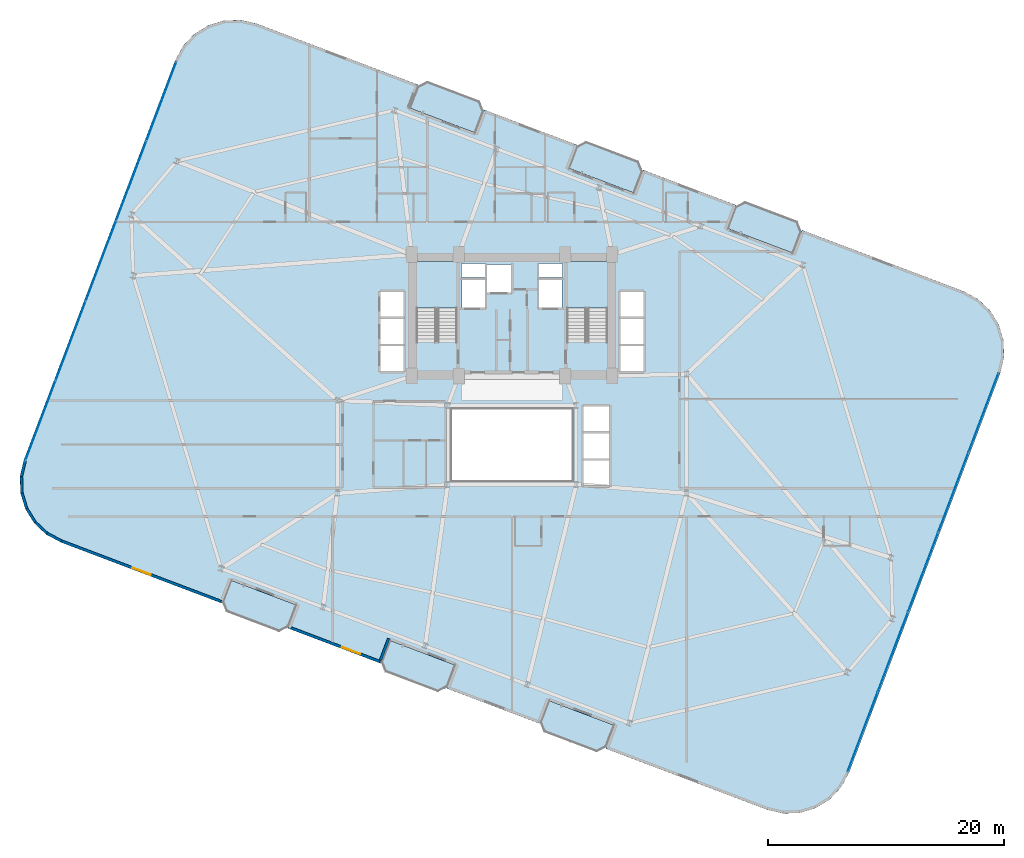
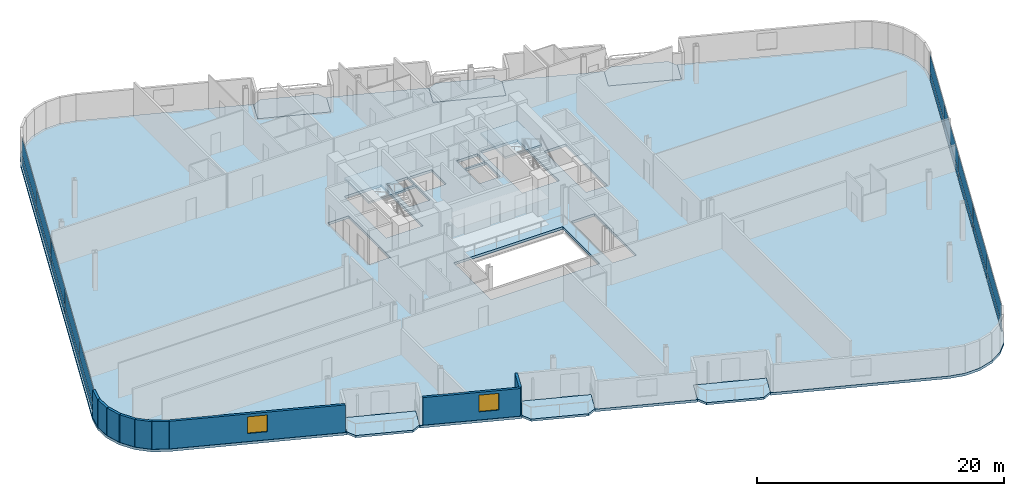
# One storey, part 16 of 24: 20 plates, 9 slabs, 9 walls, 2 windows, 2 openings, 4 elements without a shape of their own.
"""IFC4 building model written with IfcOpenShell, lengths in metres."""

from ifc_helpers import new_model, si_unit, direction, frame, frame_2d, origin, origin_2d, place, context, subcontext, project, spatial, polyline, rectangle, outline, extrude, source, transform, mapped, material, layer, layer_set, type_object, element, fill, aggregate, save


model = new_model("IFC4")

# Units and contexts
model_context = context("Model", 3, precision=1e-05, world=origin(), true_north=direction((0.0, 1.0)))
body_context = subcontext(model_context, "Body", "Model", "MODEL_VIEW")
ifc_project = project(units=[si_unit("LENGTHUNIT", "METRE"), si_unit("AREAUNIT", "SQUARE_METRE"), si_unit("VOLUMEUNIT", "CUBIC_METRE"), si_unit("PLANEANGLEUNIT", "RADIAN"), si_unit("MASSUNIT", "GRAM", prefix="KILO")], contexts=[model_context])

# Site, building, storey
site_placement = place(None, origin())
site = spatial("IfcSite", under=ifc_project, at=site_placement, CompositionType="ELEMENT")
building_placement = place(site_placement, origin())
building = spatial("IfcBuilding", under=site, at=building_placement, Name="Varnelok Gate Tower", CompositionType="ELEMENT")
storey_placement = place(building_placement, frame((0.0, 0.0, 98.39990234375)))
storey = spatial("IfcBuildingStorey", under=building, at=storey_placement, Name="L24", CompositionType="ELEMENT", Elevation=98.39990234375)

# Slabs
ifc_material_1 = material(Name="Concrete C45/55", Category="concrete")
ifc_layer_1 = layer(ifc_material_1, 0.219970703125)
ifc_layer_set_1 = layer_set([ifc_layer_1], Name="Concrete C45/55")
slab_type_1 = type_object("IfcSlabType", Name="SLB-BALC-220", PredefinedType="FLOOR", material=ifc_layer_set_1)
slab_1_placement = place(storey_placement, frame((0.0, 0.0, -0.219970703125)))
element("IfcSlab", 1, at=slab_1_placement, inside=storey, type_object=slab_type_1, Name="L24 South Hollow Balcony 1", PredefinedType="FLOOR", context=body_context, shape_type="SweptSolid", body=[
    extrude(outline(polyline([(14.64208984375, 9.576416015625), (15.019775390625, 8.738525390625), (19.415283203125, 7.074462890625), (20.25341796875, 7.4521484375), (20.96142578125, 9.322509765625), (15.35009765625, 11.447021484375), (14.64208984375, 9.576416015625)])), origin(), (0.0, 0.0, 1.0), 0.219970703125),
])
slab_2_placement = place(storey_placement, frame((0.0, 0.0, -0.219970703125)))
element("IfcSlab", 2, at=slab_2_placement, inside=storey, type_object=slab_type_1, Name="L24 South Hollow Balcony 2", PredefinedType="FLOOR", context=body_context, shape_type="SweptSolid", body=[
    extrude(outline(polyline([(28.109375, 4.47802734375), (28.487060546875, 3.639892578125), (32.882568359375, 1.975830078125), (33.720703125, 2.353515625), (34.4287109375, 4.22412109375), (28.8173828125, 6.348388671875), (28.109375, 4.47802734375)])), origin(), (0.0, 0.0, 1.0), 0.219970703125),
])
slab_3_placement = place(storey_placement, frame((0.0, 0.0, -0.219970703125)))
element("IfcSlab", 3, at=slab_3_placement, inside=storey, type_object=slab_type_1, Name="L24 South Hollow Balcony 3", PredefinedType="FLOOR", context=body_context, shape_type="SweptSolid", body=[
    extrude(outline(polyline([(41.576416015625, -0.62060546875), (41.9541015625, -1.45849609375), (46.349853515625, -3.12255859375), (47.187744140625, -2.744873046875), (47.89599609375, -0.87451171875), (42.28466796875, 1.25), (41.576416015625, -0.62060546875)])), origin(), (0.0, 0.0, 1.0), 0.219970703125),
])
slab_4_placement = place(storey_placement, frame((0.0, 0.0, -0.219970703125)))
element("IfcSlab", 4, at=slab_4_placement, inside=storey, type_object=slab_type_1, Name="L24 North Hollow Balcony 1", PredefinedType="FLOOR", context=body_context, shape_type="SweptSolid", body=[
    extrude(outline(polyline([(30.504150390625, 51.474365234375), (36.115478515625, 49.35009765625), (36.823486328125, 51.220458984375), (36.44580078125, 52.05859375), (32.05029296875, 53.72265625), (31.212158203125, 53.344970703125), (30.504150390625, 51.474365234375)])), origin(), (0.0, 0.0, 1.0), 0.219970703125),
])
slab_5_placement = place(storey_placement, frame((0.0, 0.0, -0.219970703125)))
element("IfcSlab", 5, at=slab_5_placement, inside=storey, type_object=slab_type_1, Name="L24 North Hollow Balcony 2", PredefinedType="FLOOR", context=body_context, shape_type="SweptSolid", body=[
    extrude(outline(polyline([(43.97119140625, 46.3759765625), (49.58251953125, 44.251708984375), (50.290771484375, 46.1220703125), (49.9130859375, 46.9599609375), (45.517333984375, 48.6240234375), (44.679443359375, 48.246337890625), (43.97119140625, 46.3759765625)])), origin(), (0.0, 0.0, 1.0), 0.219970703125),
])
slab_6_placement = place(storey_placement, frame((0.0, 0.0, -0.219970703125)))
element("IfcSlab", 6, at=slab_6_placement, inside=storey, type_object=slab_type_1, Name="L24 North Hollow Balcony 3", PredefinedType="FLOOR", context=body_context, shape_type="SweptSolid", body=[
    extrude(outline(polyline([(57.4384765625, 41.27734375), (63.0498046875, 39.153076171875), (63.7578125, 41.0234375), (63.380126953125, 41.861572265625), (58.984619140625, 43.525634765625), (58.146484375, 43.14794921875), (57.4384765625, 41.27734375)])), origin(), (0.0, 0.0, 1.0), 0.219970703125),
])

# Stair, slab
ifc_material_2 = material(Name="Concrete C50/60", Category="concrete")
stair_type = type_object("IfcStairType", Name="STR-CORE-1650", PredefinedType="HALF_TURN_STAIR", material=ifc_material_2)
stair_1_placement = place(storey_placement, origin())
stair_1 = element("IfcStair", 7, at=stair_1_placement, inside=storey, type_object=stair_type, Name="L24 Exit Stair ST-1", PredefinedType="HALF_TURN_STAIR")
ifc_layer_2 = layer(ifc_material_1, 0.199951171875)
ifc_layer_set_2 = layer_set([ifc_layer_2], Name="Concrete C45/55")
slab_type_2 = type_object("IfcSlabType", Name="SLB-LAND-200", PredefinedType="LANDING", material=ifc_layer_set_2)
slab_7_placement = place(storey_placement, frame((0.0, 0.0, 1.650146484375)))
slab_7 = element("IfcSlab", 8, at=slab_7_placement, type_object=slab_type_2, Name="ST-1 landing 1", PredefinedType="LANDING", context=body_context, shape_type="SweptSolid", body=[
    extrude(outline(polyline([(34.550048828125, 34.5), (34.550048828125, 38.449951171875), (31.10009765625, 38.449951171875), (31.10009765625, 34.5), (34.550048828125, 34.5)])), origin(), (0.0, 0.0, 1.0), 0.199951171875),
])
aggregate(stair_1, [slab_7])

stair_2_placement = place(storey_placement, origin())
stair_2 = element("IfcStair", 9, at=stair_2_placement, inside=storey, type_object=stair_type, Name="L24 Exit Stair ST-2", PredefinedType="HALF_TURN_STAIR")
slab_8_placement = place(storey_placement, frame((0.0, 0.0, 1.650146484375)))
slab_8 = element("IfcSlab", 10, at=slab_8_placement, type_object=slab_type_2, Name="ST-2 landing 1", PredefinedType="LANDING", context=body_context, shape_type="SweptSolid", body=[
    extrude(outline(polyline([(47.300048828125, 34.5), (47.300048828125, 38.449951171875), (43.85009765625, 38.449951171875), (43.85009765625, 34.5), (47.300048828125, 34.5)])), origin(), (0.0, 0.0, 1.0), 0.199951171875),
])
aggregate(stair_2, [slab_8])

# Slab
ifc_layer_3 = layer(ifc_material_2, 0.25)
ifc_layer_set_3 = layer_set([ifc_layer_3], Name="Concrete C50/60")
slab_type_3 = type_object("IfcSlabType", Name="SLB-TYP-250", PredefinedType="FLOOR", material=ifc_layer_set_3)
slab_9_placement = place(storey_placement, frame((0.0, 0.0, -0.25)))
element("IfcSlab", 11, at=slab_9_placement, inside=storey, type_object=slab_type_3, Name="L24 Structural Floor Slab", PredefinedType="FLOOR", context=body_context, shape_type="SweptSolid", body=[
    extrude(outline(polyline([(-2.185791015625, 21.614501953125), (-2.508544921875, 20.2421875), (-2.465087890625, 18.833251953125), (-2.05859375, 17.4833984375), (-1.31640625, 16.284912109375), (-0.28955078125, 15.319091796875), (0.952392578125, 14.65234375), (12.05029296875, 10.45068359375), (14.606689453125, 9.48291015625), (15.35009765625, 11.447021484375), (20.96142578125, 9.322509765625), (20.218017578125, 7.358642578125), (28.073974609375, 4.384521484375), (28.8173828125, 6.348388671875), (34.4287109375, 4.22412109375), (33.685302734375, 2.260009765625), (41.541015625, -0.714111328125), (42.28466796875, 1.25), (47.89599609375, -0.87451171875), (47.15234375, -2.83837890625), (49.708740234375, -3.80615234375), (60.806640625, -8.0078125), (62.1787109375, -8.33056640625), (63.587890625, -8.287109375), (64.937744140625, -7.880615234375), (66.13623046875, -7.138427734375), (67.101806640625, -6.111328125), (67.768798828125, -4.869384765625), (80.585693359375, 28.985595703125), (80.90869140625, 30.35791015625), (80.865234375, 31.766845703125), (80.45849609375, 33.11669921875), (79.716552734375, 34.315185546875), (78.689453125, 35.28076171875), (77.447509765625, 35.94775390625), (66.349609375, 40.1494140625), (63.793212890625, 41.116943359375), (63.0498046875, 39.153076171875), (57.4384765625, 41.27734375), (58.181884765625, 43.241455078125), (50.326171875, 46.215576171875), (49.58251953125, 44.251708984375), (43.97119140625, 46.3759765625), (44.71484375, 48.33984375), (36.85888671875, 51.31396484375), (36.115478515625, 49.35009765625), (30.504150390625, 51.474365234375), (31.24755859375, 53.4384765625), (28.69140625, 54.40625), (17.593505859375, 58.607666015625), (16.22119140625, 58.930419921875), (14.81201171875, 58.886962890625), (13.46240234375, 58.48046875), (12.263916015625, 57.73828125), (11.298095703125, 56.71142578125), (10.631103515625, 55.469482421875), (-2.185791015625, 21.614501953125)]), holes=[polyline([(34.550048828125, 31.679931640625), (34.550048828125, 38.449951171875), (31.10009765625, 38.449951171875), (31.10009765625, 31.679931640625), (34.550048828125, 31.679931640625)]), polyline([(47.300048828125, 31.679931640625), (47.300048828125, 38.449951171875), (43.85009765625, 38.449951171875), (43.85009765625, 31.679931640625), (47.300048828125, 31.679931640625)]), polyline([(34.949951171875, 34.550048828125), (36.89990234375, 34.550048828125), (36.89990234375, 36.89990234375), (34.949951171875, 36.89990234375), (34.949951171875, 34.550048828125)]), polyline([(41.5, 34.550048828125), (43.449951171875, 34.550048828125), (43.449951171875, 36.89990234375), (41.5, 36.89990234375), (41.5, 34.550048828125)]), polyline([(37.050048828125, 35.85009765625), (39.14990234375, 35.85009765625), (39.14990234375, 38.199951171875), (37.050048828125, 38.199951171875), (37.050048828125, 35.85009765625)]), polyline([(28.050048828125, 29.14990234375), (30.050048828125, 29.14990234375), (30.050048828125, 35.89990234375), (28.050048828125, 35.89990234375), (28.050048828125, 29.14990234375)]), polyline([(48.35009765625, 29.14990234375), (50.35009765625, 29.14990234375), (50.35009765625, 35.89990234375), (48.35009765625, 35.89990234375), (48.35009765625, 29.14990234375)]), polyline([(45.25, 19.449951171875), (47.449951171875, 19.449951171875), (47.449951171875, 26.199951171875), (45.25, 26.199951171875), (45.25, 19.449951171875)]), polyline([(34.919921875, 37.080078125), (36.89990234375, 37.080078125), (36.89990234375, 38.280029296875), (34.919921875, 38.280029296875), (34.919921875, 37.080078125)]), polyline([(41.5, 37.080078125), (43.47998046875, 37.080078125), (43.47998046875, 38.280029296875), (41.5, 38.280029296875), (41.5, 37.080078125)]), polyline([(34.10009765625, 19.89990234375), (44.300048828125, 19.89990234375), (44.300048828125, 25.89990234375), (34.10009765625, 25.89990234375), (34.10009765625, 19.89990234375)])]), origin(), (0.0, 0.0, 1.0), 0.25),
])

# Curtain wall, plates
ifc_material_3 = material(Name="Anodized Aluminum Alloy 6063-T6", Category="aluminium")
ifc_layer_4 = layer(ifc_material_3, 0.179931640625)
ifc_layer_set_4 = layer_set([ifc_layer_4], Name="Anodized Aluminum Alloy 6063-T6")
curtain_wall_type = type_object("IfcCurtainWallType", Name="CW3-HOTEL-VISION", PredefinedType="USERDEFINED", material=ifc_layer_set_4)
curtain_wall_1_placement = place(storey_placement, origin())
curtain_wall_1 = element("IfcCurtainWall", 12, at=curtain_wall_1_placement, inside=storey, type_object=curtain_wall_type, Name="L24 West End Vision Curtain Wall", ObjectType="UNITISED CURTAIN WALL", PredefinedType="USERDEFINED")
ifc_material_4 = material(Name="Low-E Laminated Double Glazing IGU", Category="glass")
ifc_layer_5 = layer(ifc_material_4, 0.031982421875)
ifc_layer_set_5 = layer_set([ifc_layer_5], Name="Low-E Laminated Double Glazing IGU")
plate_type = type_object("IfcPlateType", Name="CW-PNL-IGU32", PredefinedType="CURTAIN_PANEL", material=ifc_layer_set_5)
shared_shape_1 = source(origin(), body_context, "Body", "SweptSolid", [
    extrude(rectangle(XDim=7.142578125, YDim=0.031982421875, at=origin_2d()), origin(), (0.0, 0.0, 1.0), 0.802490234375),
])
plate_1_placement = place(storey_placement, frame((-0.767333984375, 24.965576171875, 0.06494140625), z_axis=(0.0, 0.0, 1.0), x_axis=(0.354063660545, 0.935221323688, 0.0)))
plate_1 = element("IfcPlate", 13, at=plate_1_placement, type_object=plate_type, Name="CW3 panel 1.1", PredefinedType="CURTAIN_PANEL", context=body_context, shape_type="MappedRepresentation", body=[
    mapped(shared_shape_1, transform((0.0, 0.0, 0.0), scale=1.0)),
])
plate_2_placement = place(storey_placement, frame((9.474853515625, 52.019287109375, 0.06494140625), z_axis=(0.0, 0.0, 1.0), x_axis=(0.354063660545, 0.935221323688, 0.0)))
plate_2 = element("IfcPlate", 14, at=plate_2_placement, type_object=plate_type, Name="CW3 panel 5.1", PredefinedType="CURTAIN_PANEL", context=body_context, shape_type="MappedRepresentation", body=[
    mapped(shared_shape_1, transform((0.0, 0.0, 0.0), scale=1.0)),
])

curtain_wall_2_placement = place(storey_placement, origin())
curtain_wall_2 = element("IfcCurtainWall", 15, at=curtain_wall_2_placement, inside=storey, type_object=curtain_wall_type, Name="L24 East End Vision Curtain Wall", ObjectType="UNITISED CURTAIN WALL", PredefinedType="USERDEFINED")
plate_3_placement = place(storey_placement, frame((79.16748046875, 25.634521484375, 0.06494140625), z_axis=(0.0, 0.0, 1.0), x_axis=(-0.354063660545, -0.935221323688, 0.0)))
plate_3 = element("IfcPlate", 16, at=plate_3_placement, type_object=plate_type, Name="CW3 panel 1.1", PredefinedType="CURTAIN_PANEL", context=body_context, shape_type="MappedRepresentation", body=[
    mapped(shared_shape_1, transform((0.0, 0.0, 0.0), scale=1.0)),
])
plate_4_placement = place(storey_placement, frame((68.92529296875, -1.419189453125, 0.06494140625), z_axis=(0.0, 0.0, 1.0), x_axis=(-0.354063660545, -0.935221323688, 0.0)))
plate_4 = element("IfcPlate", 17, at=plate_4_placement, type_object=plate_type, Name="CW3 panel 5.1", PredefinedType="CURTAIN_PANEL", context=body_context, shape_type="MappedRepresentation", body=[
    mapped(shared_shape_1, transform((0.0, 0.0, 0.0), scale=1.0)),
])

# Plate
shared_shape_2 = source(origin(), body_context, "Body", "SweptSolid", [
    extrude(rectangle(XDim=7.142578125, YDim=0.031982421875, at=origin_2d()), origin(), (0.0, 0.0, 1.0), 1.732421875),
])
plate_5_placement = place(storey_placement, frame((-0.767333984375, 24.965576171875, 0.9326171875), z_axis=(0.0, 0.0, 1.0), x_axis=(0.354063660545, 0.935221323688, 0.0)))
plate_5 = element("IfcPlate", 18, at=plate_5_placement, type_object=plate_type, Name="CW3 panel 1.2", PredefinedType="CURTAIN_PANEL", context=body_context, shape_type="MappedRepresentation", body=[
    mapped(shared_shape_2, transform((0.0, 0.0, 0.0), scale=1.0)),
])

plate_6_placement = place(storey_placement, frame((9.474853515625, 52.019287109375, 0.9326171875), z_axis=(0.0, 0.0, 1.0), x_axis=(0.354063660545, 0.935221323688, 0.0)))
plate_6 = element("IfcPlate", 19, at=plate_6_placement, type_object=plate_type, Name="CW3 panel 5.2", PredefinedType="CURTAIN_PANEL", context=body_context, shape_type="MappedRepresentation", body=[
    mapped(shared_shape_2, transform((0.0, 0.0, 0.0), scale=1.0)),
])

plate_7_placement = place(storey_placement, frame((79.16748046875, 25.634521484375, 0.9326171875), z_axis=(0.0, 0.0, 1.0), x_axis=(-0.354063660545, -0.935221323688, 0.0)))
plate_7 = element("IfcPlate", 20, at=plate_7_placement, type_object=plate_type, Name="CW3 panel 1.2", PredefinedType="CURTAIN_PANEL", context=body_context, shape_type="MappedRepresentation", body=[
    mapped(shared_shape_2, transform((0.0, 0.0, 0.0), scale=1.0)),
])

plate_8_placement = place(storey_placement, frame((68.92529296875, -1.419189453125, 0.9326171875), z_axis=(0.0, 0.0, 1.0), x_axis=(-0.354063660545, -0.935221323688, 0.0)))
plate_8 = element("IfcPlate", 21, at=plate_8_placement, type_object=plate_type, Name="CW3 panel 5.2", PredefinedType="CURTAIN_PANEL", context=body_context, shape_type="MappedRepresentation", body=[
    mapped(shared_shape_2, transform((0.0, 0.0, 0.0), scale=1.0)),
])

shared_shape_3 = source(origin(), body_context, "Body", "SweptSolid", [
    extrude(rectangle(XDim=7.175048828125, YDim=0.031982421875, at=origin_2d()), origin(), (0.0, 0.0, 1.0), 0.802490234375),
])
plate_9_placement = place(storey_placement, frame((1.790283203125, 31.721435546875, 0.06494140625), z_axis=(0.0, 0.0, 1.0), x_axis=(0.354063660545, 0.935221323688, 0.0)))
plate_9 = element("IfcPlate", 22, at=plate_9_placement, type_object=plate_type, Name="CW3 panel 2.1", PredefinedType="CURTAIN_PANEL", context=body_context, shape_type="MappedRepresentation", body=[
    mapped(shared_shape_3, transform((0.0, 0.0, 0.0), scale=1.0)),
])

plate_10_placement = place(storey_placement, frame((4.353759765625, 38.492431640625, 0.06494140625), z_axis=(0.0, 0.0, 1.0), x_axis=(0.354063660545, 0.935221323688, 0.0)))
plate_10 = element("IfcPlate", 23, at=plate_10_placement, type_object=plate_type, Name="CW3 panel 3.1", PredefinedType="CURTAIN_PANEL", context=body_context, shape_type="MappedRepresentation", body=[
    mapped(shared_shape_3, transform((0.0, 0.0, 0.0), scale=1.0)),
])

plate_11_placement = place(storey_placement, frame((6.9169921875, 45.263427734375, 0.06494140625), z_axis=(0.0, 0.0, 1.0), x_axis=(0.354063660545, 0.935221323688, 0.0)))
plate_11 = element("IfcPlate", 24, at=plate_11_placement, type_object=plate_type, Name="CW3 panel 4.1", PredefinedType="CURTAIN_PANEL", context=body_context, shape_type="MappedRepresentation", body=[
    mapped(shared_shape_3, transform((0.0, 0.0, 0.0), scale=1.0)),
])

plate_12_placement = place(storey_placement, frame((76.60986328125, 18.878662109375, 0.06494140625), z_axis=(0.0, 0.0, 1.0), x_axis=(-0.354063660545, -0.935221323688, 0.0)))
plate_12 = element("IfcPlate", 25, at=plate_12_placement, type_object=plate_type, Name="CW3 panel 2.1", PredefinedType="CURTAIN_PANEL", context=body_context, shape_type="MappedRepresentation", body=[
    mapped(shared_shape_3, transform((0.0, 0.0, 0.0), scale=1.0)),
])

plate_13_placement = place(storey_placement, frame((74.04638671875, 12.107666015625, 0.06494140625), z_axis=(0.0, 0.0, 1.0), x_axis=(-0.354063660545, -0.935221323688, 0.0)))
plate_13 = element("IfcPlate", 26, at=plate_13_placement, type_object=plate_type, Name="CW3 panel 3.1", PredefinedType="CURTAIN_PANEL", context=body_context, shape_type="MappedRepresentation", body=[
    mapped(shared_shape_3, transform((0.0, 0.0, 0.0), scale=1.0)),
])

plate_14_placement = place(storey_placement, frame((71.48291015625, 5.336669921875, 0.06494140625), z_axis=(0.0, 0.0, 1.0), x_axis=(-0.354063660545, -0.935221323688, 0.0)))
plate_14 = element("IfcPlate", 27, at=plate_14_placement, type_object=plate_type, Name="CW3 panel 4.1", PredefinedType="CURTAIN_PANEL", context=body_context, shape_type="MappedRepresentation", body=[
    mapped(shared_shape_3, transform((0.0, 0.0, 0.0), scale=1.0)),
])

shared_shape_4 = source(origin(), body_context, "Body", "SweptSolid", [
    extrude(rectangle(XDim=7.175048828125, YDim=0.031982421875, at=origin_2d()), origin(), (0.0, 0.0, 1.0), 1.732421875),
])
plate_15_placement = place(storey_placement, frame((1.790283203125, 31.721435546875, 0.9326171875), z_axis=(0.0, 0.0, 1.0), x_axis=(0.354063660545, 0.935221323688, 0.0)))
plate_15 = element("IfcPlate", 28, at=plate_15_placement, type_object=plate_type, Name="CW3 panel 2.2", PredefinedType="CURTAIN_PANEL", context=body_context, shape_type="MappedRepresentation", body=[
    mapped(shared_shape_4, transform((0.0, 0.0, 0.0), scale=1.0)),
])

plate_16_placement = place(storey_placement, frame((4.353759765625, 38.492431640625, 0.9326171875), z_axis=(0.0, 0.0, 1.0), x_axis=(0.354063660545, 0.935221323688, 0.0)))
plate_16 = element("IfcPlate", 29, at=plate_16_placement, type_object=plate_type, Name="CW3 panel 3.2", PredefinedType="CURTAIN_PANEL", context=body_context, shape_type="MappedRepresentation", body=[
    mapped(shared_shape_4, transform((0.0, 0.0, 0.0), scale=1.0)),
])

plate_17_placement = place(storey_placement, frame((6.9169921875, 45.263427734375, 0.9326171875), z_axis=(0.0, 0.0, 1.0), x_axis=(0.354063660545, 0.935221323688, 0.0)))
plate_17 = element("IfcPlate", 30, at=plate_17_placement, type_object=plate_type, Name="CW3 panel 4.2", PredefinedType="CURTAIN_PANEL", context=body_context, shape_type="MappedRepresentation", body=[
    mapped(shared_shape_4, transform((0.0, 0.0, 0.0), scale=1.0)),
])

aggregate(curtain_wall_1, [plate_1, plate_5, plate_9, plate_15, plate_10, plate_16, plate_11, plate_17, plate_2, plate_6])

plate_18_placement = place(storey_placement, frame((76.60986328125, 18.878662109375, 0.9326171875), z_axis=(0.0, 0.0, 1.0), x_axis=(-0.354063660545, -0.935221323688, 0.0)))
plate_18 = element("IfcPlate", 31, at=plate_18_placement, type_object=plate_type, Name="CW3 panel 2.2", PredefinedType="CURTAIN_PANEL", context=body_context, shape_type="MappedRepresentation", body=[
    mapped(shared_shape_4, transform((0.0, 0.0, 0.0), scale=1.0)),
])

plate_19_placement = place(storey_placement, frame((74.04638671875, 12.107666015625, 0.9326171875), z_axis=(0.0, 0.0, 1.0), x_axis=(-0.354063660545, -0.935221323688, 0.0)))
plate_19 = element("IfcPlate", 32, at=plate_19_placement, type_object=plate_type, Name="CW3 panel 3.2", PredefinedType="CURTAIN_PANEL", context=body_context, shape_type="MappedRepresentation", body=[
    mapped(shared_shape_4, transform((0.0, 0.0, 0.0), scale=1.0)),
])

plate_20_placement = place(storey_placement, frame((71.48291015625, 5.336669921875, 0.9326171875), z_axis=(0.0, 0.0, 1.0), x_axis=(-0.354063660545, -0.935221323688, 0.0)))
plate_20 = element("IfcPlate", 33, at=plate_20_placement, type_object=plate_type, Name="CW3 panel 4.2", PredefinedType="CURTAIN_PANEL", context=body_context, shape_type="MappedRepresentation", body=[
    mapped(shared_shape_4, transform((0.0, 0.0, 0.0), scale=1.0)),
])

aggregate(curtain_wall_2, [plate_3, plate_7, plate_12, plate_18, plate_13, plate_19, plate_14, plate_20, plate_4, plate_8])

# Walls
ifc_layer_6 = layer(ifc_material_1, 0.219970703125)
ifc_layer_set_6 = layer_set([ifc_layer_6], Name="Concrete C45/55")
wall_type = type_object("IfcWallType", Name="EW-BALC-220", PredefinedType="SOLIDWALL", material=ifc_layer_set_6)
wall_1_placement = place(storey_placement, frame((-2.072509765625, 21.571533203125, 0.0), z_axis=(0.0, 0.0, 1.0), x_axis=(-0.229049207401, -0.973414845063, 0.0)))
element("IfcWall", 34, at=wall_1_placement, inside=storey, type_object=wall_type, Name="L24 Perimeter Facade Closure Wall 1", PredefinedType="SOLIDWALL", context=body_context, shape_type="SweptSolid", body=[
    extrude(rectangle(XDim=1.378173828125, YDim=0.219970703125, at=frame_2d((0.68896484375, 0.0))), origin(), (0.0, 0.0, 1.0), 2.72998046875),
])
wall_2_placement = place(storey_placement, frame((-2.387451171875, 20.205078125, 0.0), z_axis=(0.0, 0.0, 1.0), x_axis=(0.030857297317, -0.999523800218, 0.0)))
element("IfcWall", 35, at=wall_2_placement, inside=storey, type_object=wall_type, Name="L24 Perimeter Facade Closure Wall 2", PredefinedType="SOLIDWALL", context=body_context, shape_type="SweptSolid", body=[
    extrude(rectangle(XDim=1.35302734375, YDim=0.219970703125, at=frame_2d((0.676513671875, 0.0))), origin(), (0.0, 0.0, 1.0), 2.72998046875),
])
wall_3_placement = place(storey_placement, frame((-2.33837890625, 18.82861328125, 0.0), z_axis=(0.0, 0.0, 1.0), x_axis=(0.288374187109, -0.957517795244, 0.0)))
element("IfcWall", 36, at=wall_3_placement, inside=storey, type_object=wall_type, Name="L24 Perimeter Facade Closure Wall 3", PredefinedType="SOLIDWALL", context=body_context, shape_type="SweptSolid", body=[
    extrude(rectangle(XDim=1.352783203125, YDim=0.219970703125, at=frame_2d((0.67626953125, 0.0))), origin(), (0.0, 0.0, 1.0), 2.72998046875),
])
wall_4_placement = place(storey_placement, frame((-1.93505859375, 17.511962890625, 0.0), z_axis=(0.0, 0.0, 1.0), x_axis=(0.526360826676, -0.850261301096, 0.0)))
element("IfcWall", 37, at=wall_4_placement, inside=storey, type_object=wall_type, Name="L24 Perimeter Facade Closure Wall 4", PredefinedType="SOLIDWALL", context=body_context, shape_type="SweptSolid", body=[
    extrude(rectangle(XDim=1.35302734375, YDim=0.219970703125, at=frame_2d((0.676513671875, 0.0))), origin(), (0.0, 0.0, 1.0), 2.72998046875),
])
wall_5_placement = place(storey_placement, frame((-1.20458984375, 16.344482421875, 0.0), z_axis=(0.0, 0.0, 1.0), x_axis=(0.7285124142, -0.685032599484, 0.0)))
element("IfcWall", 38, at=wall_5_placement, inside=storey, type_object=wall_type, Name="L24 Perimeter Facade Closure Wall 5", PredefinedType="SOLIDWALL", context=body_context, shape_type="SweptSolid", body=[
    extrude(rectangle(XDim=1.353271484375, YDim=0.219970703125, at=frame_2d((0.6767578125, 0.0))), origin(), (0.0, 0.0, 1.0), 2.72998046875),
])
wall_6_placement = place(storey_placement, frame((-0.19677734375, 15.405517578125, 0.0), z_axis=(0.0, 0.0, 1.0), x_axis=(0.881023507585, -0.47307248819, 0.0)))
element("IfcWall", 39, at=wall_6_placement, inside=storey, type_object=wall_type, Name="L24 Perimeter Facade Closure Wall 6", PredefinedType="SOLIDWALL", context=body_context, shape_type="SweptSolid", body=[
    extrude(rectangle(XDim=1.36083984375, YDim=0.219970703125, at=frame_2d((0.680419921875, 0.0))), origin(), (0.0, 0.0, 1.0), 2.72998046875),
])

# Wall, opening, window
wall_7_placement = place(storey_placement, frame((1.025634765625, 14.7529296875, 0.0), z_axis=(0.0, 0.0, 1.0), x_axis=(0.935222448475, -0.354060689526, 0.0)))
wall_7 = element("IfcWall", 40, at=wall_7_placement, inside=storey, type_object=wall_type, Name="L24 Perimeter Facade Closure Wall 7", PredefinedType="SOLIDWALL", context=body_context, shape_type="SweptSolid", body=[
    extrude(rectangle(XDim=14.447265625, YDim=0.219970703125, at=frame_2d((7.2236328125, 0.0))), origin(), (0.0, 0.0, 1.0), 2.72998046875),
])
opening_1_placement = place(wall_7_placement, frame((6.398681640625, 0.0, 0.800048828125)))
opening_1 = element("IfcOpeningElement", 41, at=opening_1_placement, cuts=wall_7, Name="Opening WN3", PredefinedType="OPENING", context=body_context, shape_type="SweptSolid", body=[
    extrude(rectangle(XDim=1.64990234375, YDim=1.64990234375, at=frame_2d((0.824951171875, 0.824951171875))), frame((0.0, 0.119873046875, 0.0), z_axis=(0.0, -1.0, 0.0), x_axis=(1.0, 0.0, 0.0)), (0.0, 0.0, 1.0), 0.239990234375),
])
window_type = type_object("IfcWindowType", Name="WN-HTL-1650", PartitioningType="SINGLE_PANEL", PredefinedType="WINDOW", material=ifc_material_4)
window_1_placement = place(opening_1_placement, origin())
window_1 = element("IfcWindow", 42, at=window_1_placement, inside=storey, type_object=window_type, Name="L24 Perimeter Vision Window 7", OverallHeight=1.64990234375, OverallWidth=1.64990234375, PartitioningType="SINGLE_PANEL", PredefinedType="WINDOW", context=body_context, shape_type="SweptSolid", body=[
    extrude(rectangle(XDim=1.64990234375, YDim=1.64990234375, at=frame_2d((0.824951171875, 0.824951171875))), frame((0.0, 0.030029296875, 0.0), z_axis=(0.0, -1.0, 0.0), x_axis=(1.0, 0.0, 0.0)), (0.0, 0.0, 1.0), 0.06005859375),
])
fill(opening_1, window_1)

wall_8_placement = place(storey_placement, frame((20.489501953125, 7.384033203125, 0.0), z_axis=(0.0, 0.0, 1.0), x_axis=(0.935230796934, -0.354038636968, 0.0)))
wall_8 = element("IfcWall", 43, at=wall_8_placement, inside=storey, type_object=wall_type, Name="L24 Perimeter Facade Closure Wall 10", PredefinedType="SOLIDWALL", context=body_context, shape_type="SweptSolid", body=[
    extrude(rectangle(XDim=8.03515625, YDim=0.219970703125, at=frame_2d((4.017578125, 0.0))), origin(), (0.0, 0.0, 1.0), 2.72998046875),
])
opening_2_placement = place(wall_8_placement, frame((4.59716796875, 0.0, 0.800048828125)))
opening_2 = element("IfcOpeningElement", 44, at=opening_2_placement, cuts=wall_8, Name="Opening WN3", PredefinedType="OPENING", context=body_context, shape_type="SweptSolid", body=[
    extrude(rectangle(XDim=1.64990234375, YDim=1.64990234375, at=frame_2d((0.824951171875, 0.824951171875))), frame((0.0, 0.119873046875, 0.0), z_axis=(0.0, -1.0, 0.0), x_axis=(1.0, 0.0, 0.0)), (0.0, 0.0, 1.0), 0.239990234375),
])
window_2_placement = place(opening_2_placement, origin())
window_2 = element("IfcWindow", 45, at=window_2_placement, inside=storey, type_object=window_type, Name="L24 Perimeter Vision Window 10", OverallHeight=1.64990234375, OverallWidth=1.64990234375, PartitioningType="SINGLE_PANEL", PredefinedType="WINDOW", context=body_context, shape_type="SweptSolid", body=[
    extrude(rectangle(XDim=1.64990234375, YDim=1.64990234375, at=frame_2d((0.824951171875, 0.824951171875))), frame((0.0, 0.030029296875, 0.0), z_axis=(0.0, -1.0, 0.0), x_axis=(1.0, 0.0, 0.0)), (0.0, 0.0, 1.0), 0.06005859375),
])
fill(opening_2, window_2)

# Wall
wall_9_placement = place(storey_placement, frame((28.04833984375, 4.656005859375, 0.0), z_axis=(0.0, 0.0, 1.0), x_axis=(0.354128791944, 0.935196663123, 0.0)))
element("IfcWall", 46, at=wall_9_placement, inside=storey, type_object=wall_type, Name="L24 Perimeter Facade Closure Wall 11", PredefinedType="SOLIDWALL", context=body_context, shape_type="SweptSolid", body=[
    extrude(rectangle(XDim=1.97509765625, YDim=0.219970703125, at=frame_2d((0.987548828125, 0.0))), origin(), (0.0, 0.0, 1.0), 2.72998046875),
])

save(model, "model.ifc")
